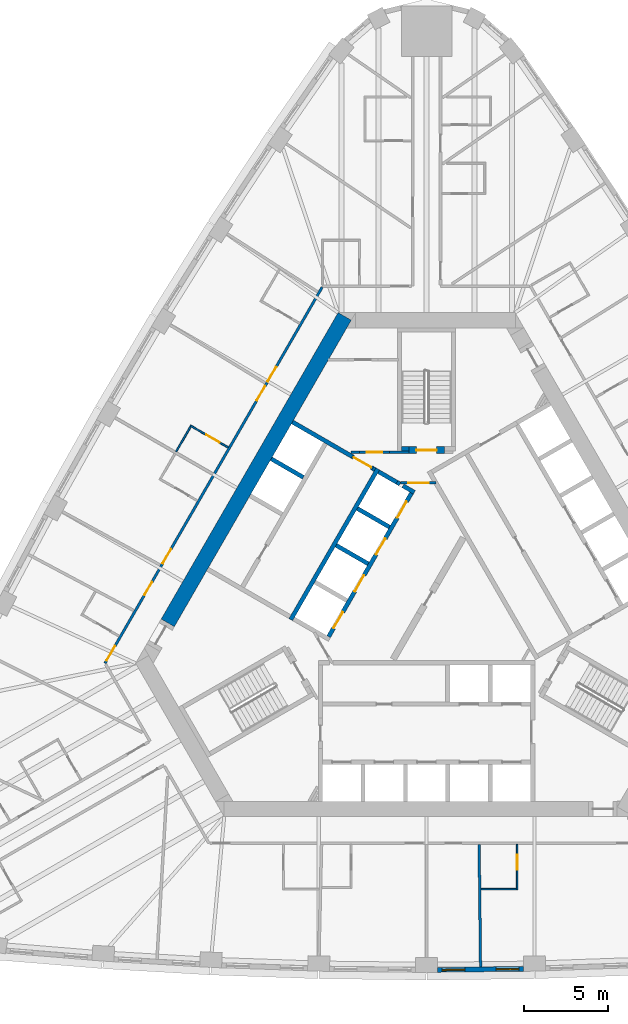
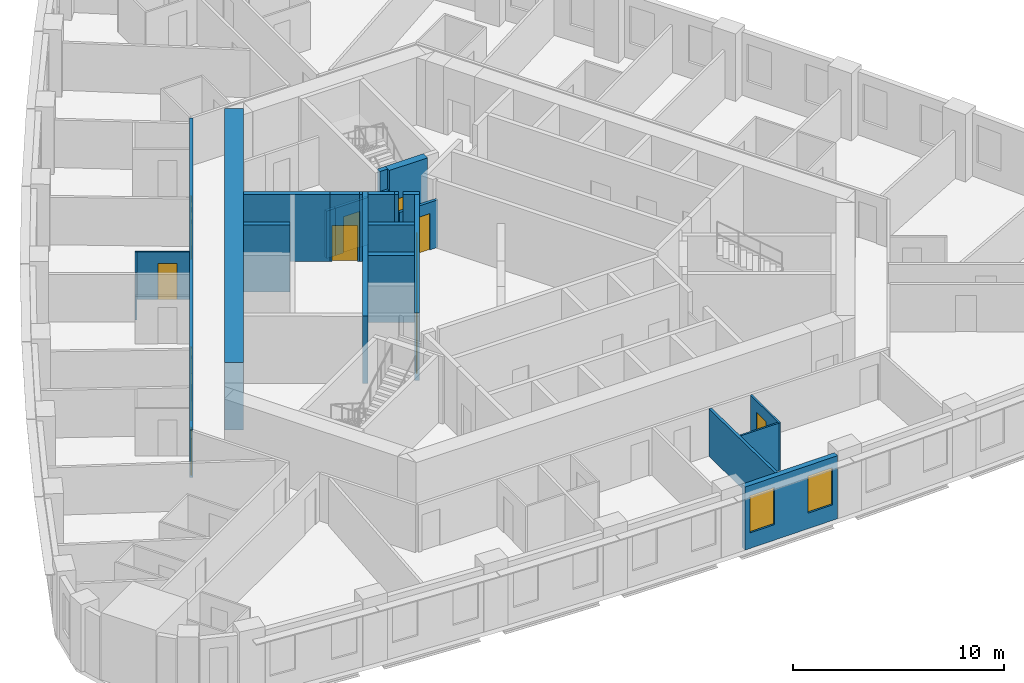
# One storey, part 6 of 12: 25 walls, 15 doors, 2 windows, 17 openings.
"""IFC4 building model written with IfcOpenShell, lengths in metres."""

from ifc_helpers import new_model, si_unit, direction, frame, frame_2d, origin, place, context, subcontext, project, spatial, polyline, rectangle, outline, extrude, material, layer, layer_set, type_object, element, fill, save


model = new_model("IFC4")

# Units and contexts
model_context = context("Model", 3, precision=1e-05, world=origin(), true_north=direction((0.0, 1.0)))
body_context = subcontext(model_context, "Body", "Model", "MODEL_VIEW")
ifc_project = project(units=[si_unit("LENGTHUNIT", "METRE"), si_unit("AREAUNIT", "SQUARE_METRE"), si_unit("VOLUMEUNIT", "CUBIC_METRE"), si_unit("PLANEANGLEUNIT", "RADIAN"), si_unit("MASSUNIT", "GRAM", prefix="KILO")], contexts=[model_context])

# Site, building, storey
site_placement = place(None, origin())
site = spatial("IfcSite", under=ifc_project, at=site_placement, CompositionType="ELEMENT")
building_placement = place(site_placement, origin())
building = spatial("IfcBuilding", under=site, at=building_placement, Name="Mestral Congress Tower", CompositionType="ELEMENT")
storey_placement = place(building_placement, frame((0.0, 0.0, 107.10009765625)))
storey = spatial("IfcBuildingStorey", under=building, at=storey_placement, Name="L25", CompositionType="ELEMENT", Elevation=107.10009765625)

# Walls
ifc_material_1 = material(Name="Fire-rated board partition")
ifc_layer_1 = layer(ifc_material_1, 0.14990234375)
ifc_layer_set_1 = layer_set([ifc_layer_1], Name="Fire-rated board partition")
wall_type_1 = type_object("IfcWallType", Name="Core partition 150", PredefinedType="PARTITIONING", material=ifc_layer_set_1)
wall_1_placement = place(storey_placement, frame((-3.99658203125, 8.625244140625, 0.0), z_axis=(0.0, 0.0, 1.0), x_axis=(-1.0, 0.0, 0.0)))
element("IfcWall", 1, at=wall_1_placement, inside=storey, type_object=wall_type_1, Name="L25 core wall", PredefinedType="PARTITIONING", context=body_context, shape_type="SweptSolid", body=[
    extrude(rectangle(XDim=0.502197265625, YDim=0.14990234375, at=frame_2d((0.2509765625, 0.0))), origin(), (0.0, 0.0, 1.0), 2.75),
])
wall_2_placement = place(storey_placement, frame((-2.1962890625, 8.62548828125, 0.0), z_axis=(0.0, 0.0, 1.0), x_axis=(1.0, 0.0, 0.0)))
element("IfcWall", 2, at=wall_2_placement, inside=storey, type_object=wall_type_1, Name="L25 core wall", PredefinedType="PARTITIONING", context=body_context, shape_type="SweptSolid", body=[
    extrude(rectangle(XDim=1.146240234375, YDim=0.14990234375, at=frame_2d((0.5732421875, 0.0))), origin(), (0.0, 0.0, 1.0), 2.75),
])

# Wall, opening, door
wall_3_placement = place(storey_placement, frame((-2.1962890625, 8.625, 0.0), z_axis=(0.0, 0.0, 1.0), x_axis=(-1.0, 0.0, 0.0)))
wall_3 = element("IfcWall", 3, at=wall_3_placement, inside=storey, type_object=wall_type_1, Name="L25 door wall", PredefinedType="PARTITIONING", context=body_context, shape_type="SweptSolid", body=[
    extrude(rectangle(XDim=1.800048828125, YDim=0.14990234375, at=frame_2d((0.89990234375, 0.0))), origin(), (0.0, 0.0, 1.0), 2.75),
])
opening_1_placement = place(wall_3_placement, frame((0.449951171875, 0.0, 0.0)))
opening_1 = element("IfcOpeningElement", 4, at=opening_1_placement, cuts=wall_3, Name="Opening TD2", PredefinedType="OPENING", context=body_context, shape_type="SweptSolid", body=[
    extrude(rectangle(XDim=0.89990234375, YDim=2.10009765625, at=frame_2d((0.449951171875, 1.050048828125))), frame((0.0, 0.0849609375, 0.0), z_axis=(0.0, -1.0, 0.0), x_axis=(1.0, 0.0, 0.0)), (0.0, 0.0, 1.0), 0.169921875),
])
ifc_material_2 = material(Name="Fire-rated steel door set", Category="steel")
door_type_1 = type_object("IfcDoorType", Name="Core door SR 900x2100", OperationType="SINGLE_SWING_LEFT", PredefinedType="DOOR", material=ifc_material_2)
door_1_placement = place(opening_1_placement, origin())
door_1 = element("IfcDoor", 5, at=door_1_placement, inside=storey, type_object=door_type_1, Name="Door TD2", OperationType="SINGLE_SWING_LEFT", OverallHeight=2.10009765625, OverallWidth=0.89990234375, PredefinedType="DOOR", context=body_context, shape_type="SweptSolid", body=[
    extrude(rectangle(XDim=0.89990234375, YDim=2.10009765625, at=frame_2d((0.449951171875, 1.050048828125))), frame((0.0, 0.02490234375, 0.0), z_axis=(0.0, -1.0, 0.0), x_axis=(1.0, 0.0, 0.0)), (0.0, 0.0, 1.0), 0.050048828125),
])
fill(opening_1, door_1)

wall_4_placement = place(storey_placement, frame((-1.534423828125, 6.800048828125, 0.0), z_axis=(0.0, 0.0, 1.0), x_axis=(1.0, 0.0, 0.0)))
wall_4 = element("IfcWall", 6, at=wall_4_placement, inside=storey, type_object=wall_type_1, Name="L25 door wall", PredefinedType="PARTITIONING", context=body_context, shape_type="SweptSolid", body=[
    extrude(rectangle(XDim=2.099853515625, YDim=0.14990234375, at=frame_2d((1.0498046875, 0.0))), origin(), (0.0, 0.0, 1.0), 2.75),
])
opening_2_placement = place(wall_4_placement, frame((0.449951171875, 0.0, 0.0)))
opening_2 = element("IfcOpeningElement", 7, at=opening_2_placement, cuts=wall_4, Name="Opening CD2-FF", PredefinedType="OPENING", context=body_context, shape_type="SweptSolid", body=[
    extrude(rectangle(XDim=1.199951171875, YDim=2.10009765625, at=frame_2d((0.60009765625, 1.050048828125))), frame((0.0, 0.0849609375, 0.0), z_axis=(0.0, -1.0, 0.0), x_axis=(1.0, 0.0, 0.0)), (0.0, 0.0, 1.0), 0.169921875),
])
door_type_2 = type_object("IfcDoorType", Name="Core door CD 1200x2100", OperationType="SINGLE_SWING_LEFT", PredefinedType="DOOR", material=ifc_material_2)
door_2_placement = place(opening_2_placement, origin())
door_2 = element("IfcDoor", 8, at=door_2_placement, inside=storey, type_object=door_type_2, Name="Door CD2-FF", OperationType="SINGLE_SWING_LEFT", OverallHeight=2.10009765625, OverallWidth=1.199951171875, PredefinedType="DOOR", context=body_context, shape_type="SweptSolid", body=[
    extrude(rectangle(XDim=1.199951171875, YDim=2.10009765625, at=frame_2d((0.60009765625, 1.050048828125))), frame((0.0, 0.02490234375, 0.0), z_axis=(0.0, -1.0, 0.0), x_axis=(1.0, 0.0, 0.0)), (0.0, 0.0, 1.0), 0.050048828125),
])
fill(opening_2, door_2)

# Wall
ifc_material_3 = material(Name="Concrete C60/75", Category="concrete")
ifc_layer_2 = layer(ifc_material_3, 0.89990234375)
ifc_layer_set_2 = layer_set([ifc_layer_2], Name="Concrete C60/75")
wall_type_2 = type_object("IfcWallType", Name="Core wall RC 900", PredefinedType="SOLIDWALL", material=ifc_layer_set_2)
wall_5_placement = place(storey_placement, frame((-15.359619140625, -1.50341796875, 0.0), z_axis=(0.0, 0.0, 1.0), x_axis=(0.50000389221, 0.866023156604, 0.0)))
element("IfcWall", 9, at=wall_5_placement, inside=storey, type_object=wall_type_2, Name="L25 core wall", PredefinedType="SOLIDWALL", context=body_context, shape_type="SweptSolid", body=[
    extrude(rectangle(XDim=21.000244140625, YDim=0.89990234375, at=frame_2d((10.5, 0.0))), origin(), (0.0, 0.0, 1.0), 3.89990234375),
])

# Wall, openings, windows
ifc_material_4 = material(Name="Precast concrete C40/50 with limestone facing", Category="masonry")
ifc_layer_3 = layer(ifc_material_4, 0.2900390625)
ifc_layer_set_3 = layer_set([ifc_layer_3], Name="Precast concrete C40/50 with limestone facing")
wall_type_3 = type_object("IfcWallType", Name="Facade stone wall 290", PredefinedType="SOLIDWALL", material=ifc_layer_set_3)
wall_6_placement = place(storey_placement, frame((0.6533203125, -22.091064453125, 0.0), z_axis=(0.0, 0.0, 1.0), x_axis=(0.999931786565, 0.011679992145, 0.0)))
wall_6 = element("IfcWall", 10, at=wall_6_placement, inside=storey, type_object=wall_type_3, Name="Facade wall F0-04", PredefinedType="SOLIDWALL", context=body_context, shape_type="SweptSolid", body=[
    extrude(rectangle(XDim=5.10009765625, YDim=0.2900390625, at=frame_2d((2.550048828125, 0.0))), origin(), (0.0, 0.0, 1.0), 3.64990234375),
])
opening_3_placement = place(wall_6_placement, frame((0.272705078125, 0.0, 0.89990234375)))
opening_3 = element("IfcOpeningElement", 11, at=opening_3_placement, cuts=wall_6, Name="Opening W2", PredefinedType="OPENING", context=body_context, shape_type="SweptSolid", body=[
    extrude(rectangle(XDim=1.35009765625, YDim=2.14990234375, at=frame_2d((0.675048828125, 1.074951171875))), frame((0.0, 0.155029296875, 0.0), z_axis=(0.0, -1.0, 0.0), x_axis=(1.0, 0.0, 0.0)), (0.0, 0.0, 1.0), 0.31005859375),
])
opening_4_placement = place(wall_6_placement, frame((3.477783203125, 0.0, 0.89990234375)))
opening_4 = element("IfcOpeningElement", 12, at=opening_4_placement, cuts=wall_6, Name="Opening W2", PredefinedType="OPENING", context=body_context, shape_type="SweptSolid", body=[
    extrude(rectangle(XDim=1.35009765625, YDim=2.14990234375, at=frame_2d((0.675048828125, 1.074951171875))), frame((0.0, 0.155029296875, 0.0), z_axis=(0.0, -1.0, 0.0), x_axis=(1.0, 0.0, 0.0)), (0.0, 0.0, 1.0), 0.31005859375),
])
ifc_material_5 = material(Name="Clear low-emissivity double glazing", Category="glass")
window_type = type_object("IfcWindowType", Name="Facade punched window 1350 x 2150 sill 900", PartitioningType="DOUBLE_PANEL_VERTICAL", PredefinedType="WINDOW", material=ifc_material_5)
window_1_placement = place(opening_3_placement, origin())
window_1 = element("IfcWindow", 13, at=window_1_placement, inside=storey, type_object=window_type, Name="Window F0-04a", OverallHeight=2.14990234375, OverallWidth=1.35009765625, PartitioningType="DOUBLE_PANEL_VERTICAL", PredefinedType="WINDOW", context=body_context, shape_type="SweptSolid", body=[
    extrude(rectangle(XDim=1.35009765625, YDim=2.14990234375, at=frame_2d((0.675048828125, 1.074951171875))), frame((0.0, 0.01513671875, 0.0), z_axis=(0.0, -1.0, 0.0), x_axis=(1.0, 0.0, 0.0)), (0.0, 0.0, 1.0), 0.06005859375),
])
fill(opening_3, window_1)
window_2_placement = place(opening_4_placement, origin())
window_2 = element("IfcWindow", 14, at=window_2_placement, inside=storey, type_object=window_type, Name="Window F0-04b", OverallHeight=2.14990234375, OverallWidth=1.35009765625, PartitioningType="DOUBLE_PANEL_VERTICAL", PredefinedType="WINDOW", context=body_context, shape_type="SweptSolid", body=[
    extrude(rectangle(XDim=1.35009765625, YDim=2.14990234375, at=frame_2d((0.675048828125, 1.074951171875))), frame((0.0, 0.01513671875, 0.0), z_axis=(0.0, -1.0, 0.0), x_axis=(1.0, 0.0, 0.0)), (0.0, 0.0, 1.0), 0.06005859375),
])
fill(opening_4, window_2)

# Wall, opening, door
ifc_material_6 = material(Name="Gypsum board partition on metal studs with mineral wool", Category="composite")
ifc_layer_4 = layer(ifc_material_6, 0.10009765625)
ifc_layer_set_4 = layer_set([ifc_layer_4], Name="Gypsum board partition on metal studs with mineral wool")
wall_type_4 = type_object("IfcWallType", Name="Hotel partition wall 100", PredefinedType="PARTITIONING", material=ifc_layer_set_4)
wall_7_placement = place(storey_placement, frame((5.37060546875, -17.35009765625, 0.0), z_axis=(0.0, 0.0, 1.0), x_axis=(0.0, 1.0, 0.0)))
wall_7 = element("IfcWall", 15, at=wall_7_placement, inside=storey, type_object=wall_type_4, Name="L25-h-pod05a", PredefinedType="PARTITIONING", context=body_context, shape_type="SweptSolid", body=[
    extrude(rectangle(XDim=2.7001953125, YDim=0.10009765625, at=frame_2d((1.35009765625, 0.0))), origin(), (0.0, 0.0, 1.0), 2.75),
])
opening_5_placement = place(wall_7_placement, frame((1.199951171875, 0.0, 0.0)))
opening_5 = element("IfcOpeningElement", 16, at=opening_5_placement, cuts=wall_7, Name="Opening H08-009", PredefinedType="OPENING", context=body_context, shape_type="SweptSolid", body=[
    extrude(rectangle(XDim=0.89990234375, YDim=2.10009765625, at=frame_2d((0.449951171875, 1.050048828125))), frame((0.0, 0.06005859375, 0.0), z_axis=(0.0, -1.0, 0.0), x_axis=(1.0, 0.0, 0.0)), (0.0, 0.0, 1.0), 0.1201171875),
])
ifc_material_7 = material(Name="Timber veneer door leaf in timber frame", Category="wood")
door_type_3 = type_object("IfcDoorType", Name="Bathroom door 900", OperationType="SINGLE_SWING_LEFT", PredefinedType="DOOR", material=ifc_material_7)
door_3_placement = place(opening_5_placement, origin())
door_3 = element("IfcDoor", 17, at=door_3_placement, inside=storey, type_object=door_type_3, Name="L25-h-d009", OperationType="SINGLE_SWING_LEFT", OverallHeight=2.10009765625, OverallWidth=0.89990234375, PredefinedType="DOOR", context=body_context, shape_type="SweptSolid", body=[
    extrude(rectangle(XDim=0.89990234375, YDim=2.10009765625, at=frame_2d((0.449951171875, 1.050048828125))), frame((0.0, 0.02490234375, 0.0), z_axis=(0.0, -1.0, 0.0), x_axis=(1.0, 0.0, 0.0)), (0.0, 0.0, 1.0), 0.050048828125),
])
fill(opening_5, door_3)

# Wall
wall_8_placement = place(storey_placement, frame((5.32080078125, -17.300048828125, 0.0), z_axis=(0.0, 0.0, 1.0), x_axis=(-1.0, 0.0, 0.0)))
element("IfcWall", 18, at=wall_8_placement, inside=storey, type_object=wall_type_4, Name="L25-h-pod05b", PredefinedType="PARTITIONING", context=body_context, shape_type="SweptSolid", body=[
    extrude(rectangle(XDim=2.090087890625, YDim=0.10009765625, at=frame_2d((1.044921875, 0.0))), origin(), (0.0, 0.0, 1.0), 2.75),
])

# Wall, opening, door
wall_9_placement = place(storey_placement, frame((-11.7744140625, 8.90625, 0.0), z_axis=(0.0, 0.0, 1.0), x_axis=(-0.865997922154, 0.500047596559, 0.0)))
wall_9 = element("IfcWall", 19, at=wall_9_placement, inside=storey, type_object=wall_type_4, Name="L25-h-pod20a", PredefinedType="PARTITIONING", context=body_context, shape_type="SweptSolid", body=[
    extrude(rectangle(XDim=2.599853515625, YDim=0.10009765625, at=frame_2d((1.2998046875, 0.0))), origin(), (0.0, 0.0, 1.0), 2.75),
])
opening_6_placement = place(wall_9_placement, frame((0.60009765625, 0.0, 0.0)))
opening_6 = element("IfcOpeningElement", 20, at=opening_6_placement, cuts=wall_9, Name="Opening H08-036", PredefinedType="OPENING", context=body_context, shape_type="SweptSolid", body=[
    extrude(rectangle(XDim=0.89990234375, YDim=2.10009765625, at=frame_2d((0.449951171875, 1.050048828125))), frame((0.0, 0.06005859375, 0.0), z_axis=(0.0, -1.0, 0.0), x_axis=(1.0, 0.0, 0.0)), (0.0, 0.0, 1.0), 0.1201171875),
])
door_4_placement = place(opening_6_placement, origin())
door_4 = element("IfcDoor", 21, at=door_4_placement, inside=storey, type_object=door_type_3, Name="L25-h-d036", OperationType="SINGLE_SWING_LEFT", OverallHeight=2.10009765625, OverallWidth=0.89990234375, PredefinedType="DOOR", context=body_context, shape_type="SweptSolid", body=[
    extrude(rectangle(XDim=0.89990234375, YDim=2.10009765625, at=frame_2d((0.449951171875, 1.050048828125))), frame((0.0, 0.02490234375, 0.0), z_axis=(0.0, -1.0, 0.0), x_axis=(1.0, 0.0, 0.0)), (0.0, 0.0, 1.0), 0.050048828125),
])
fill(opening_6, door_4)

# Wall
wall_10_placement = place(storey_placement, frame((-14.0078125, 10.137939453125, 0.0), z_axis=(0.0, 0.0, 1.0), x_axis=(-0.499892348375, -0.866087547558, 0.0)))
element("IfcWall", 22, at=wall_10_placement, inside=storey, type_object=wall_type_4, Name="L25-h-pod20b", PredefinedType="PARTITIONING", context=body_context, shape_type="SweptSolid", body=[
    extrude(rectangle(XDim=1.699951171875, YDim=0.10009765625, at=frame_2d((0.85009765625, 0.0))), origin(), (0.0, 0.0, 1.0), 2.75),
])

# Wall, openings, doors
ifc_layer_5 = layer(ifc_material_6, 0.14990234375)
ifc_layer_set_5 = layer_set([ifc_layer_5], Name="Gypsum board partition on metal studs with mineral wool")
wall_type_5 = type_object("IfcWallType", Name="Hotel partition wall 150", PredefinedType="PARTITIONING", material=ifc_layer_set_5)
wall_11_placement = place(storey_placement, frame((-19.081298828125, -3.89990234375, 0.0), z_axis=(0.0, 0.0, 1.0), x_axis=(0.499998313975, 0.866026377209, 0.0)))
wall_11 = element("IfcWall", 23, at=wall_11_placement, inside=storey, type_object=wall_type_5, Name="L25-h-cw08", PredefinedType="PARTITIONING", context=body_context, shape_type="SweptSolid", body=[
    extrude(rectangle(XDim=25.76611328125, YDim=0.14990234375, at=frame_2d((12.883056640625, 0.0))), origin(), (0.0, 0.0, 1.0), 2.75),
])
opening_7_placement = place(wall_11_placement, frame((19.30615234375, 0.0, 0.0)))
opening_7 = element("IfcOpeningElement", 24, at=opening_7_placement, cuts=wall_11, Name="Opening H08-033", PredefinedType="OPENING", context=body_context, shape_type="SweptSolid", body=[
    extrude(rectangle(XDim=1.0, YDim=2.10009765625, at=frame_2d((0.5, 1.050048828125))), frame((0.0, 0.0849609375, 0.0), z_axis=(0.0, -1.0, 0.0), x_axis=(1.0, 0.0, 0.0)), (0.0, 0.0, 1.0), 0.169921875),
])
opening_8_placement = place(wall_11_placement, frame((17.99951171875, 0.0, 0.0)))
opening_8 = element("IfcOpeningElement", 25, at=opening_8_placement, cuts=wall_11, Name="Opening H08-035", PredefinedType="OPENING", context=body_context, shape_type="SweptSolid", body=[
    extrude(rectangle(XDim=1.0, YDim=2.10009765625, at=frame_2d((0.5, 1.050048828125))), frame((0.0, 0.0849609375, 0.0), z_axis=(0.0, -1.0, 0.0), x_axis=(1.0, 0.0, 0.0)), (0.0, 0.0, 1.0), 0.169921875),
])
opening_9_placement = place(wall_11_placement, frame((6.837890625, 0.0, 0.0)))
opening_9 = element("IfcOpeningElement", 26, at=opening_9_placement, cuts=wall_11, Name="Opening H08-037", PredefinedType="OPENING", context=body_context, shape_type="SweptSolid", body=[
    extrude(rectangle(XDim=1.0, YDim=2.10009765625, at=frame_2d((0.5, 1.050048828125))), frame((0.0, 0.0849609375, 0.0), z_axis=(0.0, -1.0, 0.0), x_axis=(1.0, 0.0, 0.0)), (0.0, 0.0, 1.0), 0.169921875),
])
opening_10_placement = place(wall_11_placement, frame((4.674072265625, 0.0, 0.0)))
opening_10 = element("IfcOpeningElement", 27, at=opening_10_placement, cuts=wall_11, Name="Opening H08-039", PredefinedType="OPENING", context=body_context, shape_type="SweptSolid", body=[
    extrude(rectangle(XDim=0.89990234375, YDim=2.10009765625, at=frame_2d((0.449951171875, 1.050048828125))), frame((0.0, 0.0849609375, 0.0), z_axis=(0.0, -1.0, 0.0), x_axis=(1.0, 0.0, 0.0)), (0.0, 0.0, 1.0), 0.169921875),
])
opening_11_placement = place(wall_11_placement, frame((0.179931640625, 0.0, 0.0)))
opening_11 = element("IfcOpeningElement", 28, at=opening_11_placement, cuts=wall_11, Name="Opening H08-040", PredefinedType="OPENING", context=body_context, shape_type="SweptSolid", body=[
    extrude(rectangle(XDim=1.0, YDim=2.10009765625, at=frame_2d((0.5, 1.050048828125))), frame((0.0, 0.0849609375, 0.0), z_axis=(0.0, -1.0, 0.0), x_axis=(1.0, 0.0, 0.0)), (0.0, 0.0, 1.0), 0.169921875),
])
ifc_material_8 = material(Name="Timber veneer door leaf in metal frame", Category="wood")
door_type_4 = type_object("IfcDoorType", Name="Guest room entrance door 1000", OperationType="SINGLE_SWING_LEFT", PredefinedType="DOOR", material=ifc_material_8)
door_5_placement = place(opening_7_placement, origin())
door_5 = element("IfcDoor", 29, at=door_5_placement, inside=storey, type_object=door_type_4, Name="L25-h-d033", OperationType="SINGLE_SWING_LEFT", OverallHeight=2.10009765625, OverallWidth=1.0, PredefinedType="DOOR", context=body_context, shape_type="SweptSolid", body=[
    extrude(rectangle(XDim=1.0, YDim=2.10009765625, at=frame_2d((0.5, 1.050048828125))), frame((0.0, 0.02490234375, 0.0), z_axis=(0.0, -1.0, 0.0), x_axis=(1.0, 0.0, 0.0)), (0.0, 0.0, 1.0), 0.050048828125),
])
fill(opening_7, door_5)
door_6_placement = place(opening_8_placement, origin())
door_6 = element("IfcDoor", 30, at=door_6_placement, inside=storey, type_object=door_type_4, Name="L25-h-d035", OperationType="SINGLE_SWING_RIGHT", OverallHeight=2.10009765625, OverallWidth=1.0, PredefinedType="DOOR", context=body_context, shape_type="SweptSolid", body=[
    extrude(rectangle(XDim=1.0, YDim=2.10009765625, at=frame_2d((0.5, 1.050048828125))), frame((0.0, 0.02490234375, 0.0), z_axis=(0.0, -1.0, 0.0), x_axis=(1.0, 0.0, 0.0)), (0.0, 0.0, 1.0), 0.050048828125),
])
fill(opening_8, door_6)
door_7_placement = place(opening_9_placement, origin())
door_7 = element("IfcDoor", 31, at=door_7_placement, inside=storey, type_object=door_type_4, Name="L25-h-d037", OperationType="SINGLE_SWING_LEFT", OverallHeight=2.10009765625, OverallWidth=1.0, PredefinedType="DOOR", context=body_context, shape_type="SweptSolid", body=[
    extrude(rectangle(XDim=1.0, YDim=2.10009765625, at=frame_2d((0.5, 1.050048828125))), frame((0.0, 0.02490234375, 0.0), z_axis=(0.0, -1.0, 0.0), x_axis=(1.0, 0.0, 0.0)), (0.0, 0.0, 1.0), 0.050048828125),
])
fill(opening_9, door_7)
door_8_placement = place(opening_11_placement, origin())
door_8 = element("IfcDoor", 32, at=door_8_placement, inside=storey, type_object=door_type_4, Name="L25-h-d040", OperationType="SINGLE_SWING_LEFT", OverallHeight=2.10009765625, OverallWidth=1.0, PredefinedType="DOOR", context=body_context, shape_type="SweptSolid", body=[
    extrude(rectangle(XDim=1.0, YDim=2.10009765625, at=frame_2d((0.5, 1.050048828125))), frame((0.0, 0.02490234375, 0.0), z_axis=(0.0, -1.0, 0.0), x_axis=(1.0, 0.0, 0.0)), (0.0, 0.0, 1.0), 0.050048828125),
])
fill(opening_11, door_8)
door_type_5 = type_object("IfcDoorType", Name="Service room door 900", OperationType="SINGLE_SWING_LEFT", PredefinedType="DOOR", material=ifc_material_8)
door_9_placement = place(opening_10_placement, origin())
door_9 = element("IfcDoor", 33, at=door_9_placement, inside=storey, type_object=door_type_5, Name="L25-h-d039", OperationType="SINGLE_SWING_RIGHT", OverallHeight=2.10009765625, OverallWidth=0.89990234375, PredefinedType="DOOR", context=body_context, shape_type="SweptSolid", body=[
    extrude(rectangle(XDim=0.89990234375, YDim=2.10009765625, at=frame_2d((0.449951171875, 1.050048828125))), frame((0.0, 0.02490234375, 0.0), z_axis=(0.0, -1.0, 0.0), x_axis=(1.0, 0.0, 0.0)), (0.0, 0.0, 1.0), 0.050048828125),
])
fill(opening_10, door_9)

# Walls
wall_12_placement = place(storey_placement, frame((3.20166015625, -21.916259765625, 0.0), z_axis=(0.0, 0.0, 1.0), x_axis=(-0.011707696285, 0.999931462575, 0.0)))
element("IfcWall", 34, at=wall_12_placement, inside=storey, type_object=wall_type_5, Name="L25-h-pw16", PredefinedType="PARTITIONING", context=body_context, shape_type="SweptSolid", body=[
    extrude(rectangle(XDim=7.2568359375, YDim=0.14990234375, at=frame_2d((3.62841796875, 0.0))), origin(), (0.0, 0.0, 1.0), 2.75),
])
ifc_layer_6 = layer(ifc_material_3, 0.25)
ifc_layer_set_6 = layer_set([ifc_layer_6], Name="Concrete C60/75")
wall_type_6 = type_object("IfcWallType", Name="Shaft wall RC 250", PredefinedType="SOLIDWALL", material=ifc_layer_set_6)
wall_13_placement = place(storey_placement, frame((-8.06005859375, -1.310546875, 0.0), z_axis=(0.0, 0.0, 1.0), x_axis=(0.50000273126, 0.866023826885, 0.0)))
element("IfcWall", 35, at=wall_13_placement, inside=storey, type_object=wall_type_6, Name="L25 core wall", PredefinedType="SOLIDWALL", context=body_context, shape_type="SweptSolid", body=[
    extrude(rectangle(XDim=10.330078125, YDim=0.25, at=frame_2d((5.1650390625, 0.0))), origin(), (0.0, 0.0, 1.0), 3.89990234375),
])
wall_14_placement = place(storey_placement, frame((-1.75830078125, 6.834716796875, 0.0), z_axis=(0.0, 0.0, 1.0), x_axis=(0.865982457891, -0.500074377092, 0.0)))
element("IfcWall", 36, at=wall_14_placement, inside=storey, type_object=wall_type_6, Name="L25 core wall", PredefinedType="SOLIDWALL", context=body_context, shape_type="SweptSolid", body=[
    extrude(rectangle(XDim=0.2001953125, YDim=0.25, at=frame_2d((0.10009765625, 0.0))), origin(), (0.0, 0.0, 1.0), 3.89990234375),
])
wall_15_placement = place(storey_placement, frame((-1.760009765625, 6.835693359375, 0.0), z_axis=(0.0, 0.0, 1.0), x_axis=(-0.865952863304, 0.500125622755, 0.0)))
element("IfcWall", 37, at=wall_15_placement, inside=storey, type_object=wall_type_6, Name="L25 core wall", PredefinedType="SOLIDWALL", context=body_context, shape_type="SweptSolid", body=[
    extrude(rectangle(XDim=1.258056640625, YDim=0.25, at=frame_2d((0.62890625, 0.0))), origin(), (0.0, 0.0, 1.0), 3.89990234375),
])
wall_16_placement = place(storey_placement, frame((-0.7275390625, 6.23974609375, 0.0), z_axis=(0.0, 0.0, 1.0), x_axis=(-0.865955664968, 0.500120771724, 0.0)))
element("IfcWall", 38, at=wall_16_placement, inside=storey, type_object=wall_type_6, Name="L25 core wall", PredefinedType="SOLIDWALL", context=body_context, shape_type="SweptSolid", body=[
    extrude(rectangle(XDim=0.778076171875, YDim=0.25, at=frame_2d((0.38916015625, 0.0))), origin(), (0.0, 0.0, 1.0), 3.89990234375),
])
for number, where, z_axis, x_axis, name in (
    (39, (-2.2041015625, 4.182373046875, 0.0), (0.0, 0.0, 1.0), (-0.866008176907, 0.50002983664, 0.0), "L25 core wall"),
    (40, (-5.369384765625, 3.10009765625, 0.0), (0.0, 0.0, 1.0), (0.866008176907, -0.50002983664, 0.0), "L25 core wall"),
):
    element("IfcWall", number, at=place(storey_placement, frame(where, z_axis=z_axis, x_axis=x_axis)), inside=storey, type_object=wall_type_6, Name=name, PredefinedType="SOLIDWALL", context=body_context, shape_type="SweptSolid", body=[
        extrude(rectangle(XDim=2.199951171875, YDim=0.25, at=frame_2d((1.10009765625, 0.0))), origin(), (0.0, 0.0, 1.0), 3.89990234375),
    ])
wall_17_placement = place(storey_placement, origin())
element("IfcWall", 41, at=wall_17_placement, inside=storey, type_object=wall_type_6, Name="L25 core wall", PredefinedType="SOLIDWALL", context=body_context, shape_type="SweptSolid", body=[
    extrude(outline(polyline([(-3.12841796875, 7.4814453125), (-3.2587890625, 7.556640625), (-3.1337890625, 7.773193359375), (-3.00341796875, 7.697998046875), (-3.12841796875, 7.4814453125)])), origin(), (0.0, 0.0, 1.0), 3.89990234375),
])
wall_18_placement = place(storey_placement, frame((-7.313720703125, 7.13232421875, 0.0), z_axis=(0.0, 0.0, 1.0), x_axis=(-0.866008176907, 0.50002983664, 0.0)))
element("IfcWall", 42, at=wall_18_placement, inside=storey, type_object=wall_type_6, Name="L25 core wall", PredefinedType="SOLIDWALL", context=body_context, shape_type="SweptSolid", body=[
    extrude(rectangle(XDim=2.199951171875, YDim=0.25, at=frame_2d((1.10009765625, 0.0))), origin(), (0.0, 0.0, 1.0), 3.89990234375),
])
wall_19_placement = place(storey_placement, frame((-7.958984375, 10.414794921875, 0.0), z_axis=(0.0, 0.0, 1.0), x_axis=(0.866020958405, -0.500007699544, 0.0)))
element("IfcWall", 43, at=wall_19_placement, inside=storey, type_object=wall_type_6, Name="L25 core wall", PredefinedType="SOLIDWALL", context=body_context, shape_type="SweptSolid", body=[
    extrude(rectangle(XDim=4.099609375, YDim=0.25, at=frame_2d((2.0498046875, 0.0))), origin(), (0.0, 0.0, 1.0), 3.89990234375),
])

# Wall, openings, doors
wall_20_placement = place(storey_placement, frame((-0.898193359375, 6.194091796875, 0.0), z_axis=(0.0, 0.0, 1.0), x_axis=(-0.499996202215, -0.866027596426, 0.0)))
wall_20 = element("IfcWall", 44, at=wall_20_placement, inside=storey, type_object=wall_type_6, Name="L25 door wall", PredefinedType="SOLIDWALL", context=body_context, shape_type="SweptSolid", body=[
    extrude(rectangle(XDim=9.830078125, YDim=0.25, at=frame_2d((4.9150390625, 0.0))), origin(), (0.0, 0.0, 1.0), 3.89990234375),
])
opening_12_placement = place(wall_20_placement, frame((0.5849609375, 0.0, 0.0)))
opening_12 = element("IfcOpeningElement", 45, at=opening_12_placement, cuts=wall_20, Name="Opening LD-NWB1", PredefinedType="OPENING", context=body_context, shape_type="SweptSolid", body=[
    extrude(rectangle(XDim=1.10009765625, YDim=2.10009765625, at=frame_2d((0.550048828125, 1.050048828125))), frame((0.0, 0.135009765625, 0.0), z_axis=(0.0, -1.0, 0.0), x_axis=(1.0, 0.0, 0.0)), (0.0, 0.0, 1.0), 0.27001953125),
])
opening_13_placement = place(wall_20_placement, frame((3.10498046875, 0.0, 0.0)))
opening_13 = element("IfcOpeningElement", 46, at=opening_13_placement, cuts=wall_20, Name="Opening LD-NWB2", PredefinedType="OPENING", context=body_context, shape_type="SweptSolid", body=[
    extrude(rectangle(XDim=1.10009765625, YDim=2.10009765625, at=frame_2d((0.550048828125, 1.050048828125))), frame((0.0, 0.135009765625, 0.0), z_axis=(0.0, -1.0, 0.0), x_axis=(1.0, 0.0, 0.0)), (0.0, 0.0, 1.0), 0.27001953125),
])
opening_14_placement = place(wall_20_placement, frame((5.625, 0.0, 0.0)))
opening_14 = element("IfcOpeningElement", 47, at=opening_14_placement, cuts=wall_20, Name="Opening LD-NWB3", PredefinedType="OPENING", context=body_context, shape_type="SweptSolid", body=[
    extrude(rectangle(XDim=1.10009765625, YDim=2.10009765625, at=frame_2d((0.550048828125, 1.050048828125))), frame((0.0, 0.135009765625, 0.0), z_axis=(0.0, -1.0, 0.0), x_axis=(1.0, 0.0, 0.0)), (0.0, 0.0, 1.0), 0.27001953125),
])
opening_15_placement = place(wall_20_placement, frame((8.14501953125, 0.0, 0.0)))
opening_15 = element("IfcOpeningElement", 48, at=opening_15_placement, cuts=wall_20, Name="Opening LD-NWB4", PredefinedType="OPENING", context=body_context, shape_type="SweptSolid", body=[
    extrude(rectangle(XDim=1.10009765625, YDim=2.10009765625, at=frame_2d((0.550048828125, 1.050048828125))), frame((0.0, 0.135009765625, 0.0), z_axis=(0.0, -1.0, 0.0), x_axis=(1.0, 0.0, 0.0)), (0.0, 0.0, 1.0), 0.27001953125),
])
door_type_6 = type_object("IfcDoorType", Name="Core door LD 1100x2100", OperationType="DOUBLE_DOOR_SLIDING", PredefinedType="DOOR", material=ifc_material_2)
door_10_placement = place(opening_12_placement, origin())
door_10 = element("IfcDoor", 49, at=door_10_placement, inside=storey, type_object=door_type_6, Name="Door LD-NWB1", OperationType="DOUBLE_DOOR_SLIDING", OverallHeight=2.10009765625, OverallWidth=1.10009765625, PredefinedType="DOOR", context=body_context, shape_type="SweptSolid", body=[
    extrude(rectangle(XDim=1.10009765625, YDim=2.10009765625, at=frame_2d((0.550048828125, 1.050048828125))), frame((0.0, 0.02490234375, 0.0), z_axis=(0.0, -1.0, 0.0), x_axis=(1.0, 0.0, 0.0)), (0.0, 0.0, 1.0), 0.050048828125),
])
fill(opening_12, door_10)
door_11_placement = place(opening_13_placement, origin())
door_11 = element("IfcDoor", 50, at=door_11_placement, inside=storey, type_object=door_type_6, Name="Door LD-NWB2", OperationType="DOUBLE_DOOR_SLIDING", OverallHeight=2.10009765625, OverallWidth=1.10009765625, PredefinedType="DOOR", context=body_context, shape_type="SweptSolid", body=[
    extrude(rectangle(XDim=1.10009765625, YDim=2.10009765625, at=frame_2d((0.550048828125, 1.050048828125))), frame((0.0, 0.02490234375, 0.0), z_axis=(0.0, -1.0, 0.0), x_axis=(1.0, 0.0, 0.0)), (0.0, 0.0, 1.0), 0.050048828125),
])
fill(opening_13, door_11)
door_12_placement = place(opening_14_placement, origin())
door_12 = element("IfcDoor", 51, at=door_12_placement, inside=storey, type_object=door_type_6, Name="Door LD-NWB3", OperationType="DOUBLE_DOOR_SLIDING", OverallHeight=2.10009765625, OverallWidth=1.10009765625, PredefinedType="DOOR", context=body_context, shape_type="SweptSolid", body=[
    extrude(rectangle(XDim=1.10009765625, YDim=2.10009765625, at=frame_2d((0.550048828125, 1.050048828125))), frame((0.0, 0.02490234375, 0.0), z_axis=(0.0, -1.0, 0.0), x_axis=(1.0, 0.0, 0.0)), (0.0, 0.0, 1.0), 0.050048828125),
])
fill(opening_14, door_12)
door_13_placement = place(opening_15_placement, origin())
door_13 = element("IfcDoor", 52, at=door_13_placement, inside=storey, type_object=door_type_6, Name="Door LD-NWB4", OperationType="DOUBLE_DOOR_SLIDING", OverallHeight=2.10009765625, OverallWidth=1.10009765625, PredefinedType="DOOR", context=body_context, shape_type="SweptSolid", body=[
    extrude(rectangle(XDim=1.10009765625, YDim=2.10009765625, at=frame_2d((0.550048828125, 1.050048828125))), frame((0.0, 0.02490234375, 0.0), z_axis=(0.0, -1.0, 0.0), x_axis=(1.0, 0.0, 0.0)), (0.0, 0.0, 1.0), 0.050048828125),
])
fill(opening_15, door_13)

# Wall, opening, door
wall_21_placement = place(storey_placement, frame((-4.40869140625, 8.364990234375, 0.0), z_axis=(0.0, 0.0, 1.0), x_axis=(0.866034573852, -0.49998411664, 0.0)))
wall_21 = element("IfcWall", 53, at=wall_21_placement, inside=storey, type_object=wall_type_6, Name="L25 door wall", PredefinedType="SOLIDWALL", context=body_context, shape_type="SweptSolid", body=[
    extrude(rectangle(XDim=1.39990234375, YDim=0.25, at=frame_2d((0.699951171875, 0.0))), origin(), (0.0, 0.0, 1.0), 3.89990234375),
])
opening_16_placement = place(wall_21_placement, frame((0.10009765625, 0.0, 0.0)))
opening_16 = element("IfcOpeningElement", 54, at=opening_16_placement, cuts=wall_21, Name="Opening LB2-WL2", PredefinedType="OPENING", context=body_context, shape_type="SweptSolid", body=[
    extrude(rectangle(XDim=1.199951171875, YDim=2.10009765625, at=frame_2d((0.60009765625, 1.050048828125))), frame((0.0, 0.135009765625, 0.0), z_axis=(0.0, -1.0, 0.0), x_axis=(1.0, 0.0, 0.0)), (0.0, 0.0, 1.0), 0.27001953125),
])
door_type_7 = type_object("IfcDoorType", Name="Core door LB 1200x2100", OperationType="SINGLE_SWING_LEFT", PredefinedType="DOOR", material=ifc_material_2)
door_14_placement = place(opening_16_placement, origin())
door_14 = element("IfcDoor", 55, at=door_14_placement, inside=storey, type_object=door_type_7, Name="Door LB2-WL2", OperationType="SINGLE_SWING_LEFT", OverallHeight=2.10009765625, OverallWidth=1.199951171875, PredefinedType="DOOR", context=body_context, shape_type="SweptSolid", body=[
    extrude(rectangle(XDim=1.199951171875, YDim=2.10009765625, at=frame_2d((0.60009765625, 1.050048828125))), frame((0.0, 0.02490234375, 0.0), z_axis=(0.0, -1.0, 0.0), x_axis=(1.0, 0.0, 0.0)), (0.0, 0.0, 1.0), 0.050048828125),
])
fill(opening_16, door_14)

# Wall
ifc_layer_7 = layer(ifc_material_3, 0.25)
ifc_layer_set_7 = layer_set([ifc_layer_7], Name="Concrete C60/75")
wall_type_7 = type_object("IfcWallType", Name="Stair wall RC 250", PredefinedType="SOLIDWALL", material=ifc_layer_set_7)
wall_22_placement = place(storey_placement, frame((-1.47509765625, 8.824951171875, 0.0), z_axis=(0.0, 0.0, 1.0), x_axis=(1.0, 0.0, 0.0)))
element("IfcWall", 56, at=wall_22_placement, inside=storey, type_object=wall_type_7, Name="L25 core wall", PredefinedType="SOLIDWALL", context=body_context, shape_type="SweptSolid", body=[
    extrude(rectangle(XDim=0.425048828125, YDim=0.25, at=frame_2d((0.21240234375, 0.0))), origin(), (0.0, 0.0, 1.0), 3.89990234375),
])

# Wall, opening, door
ifc_layer_8 = layer(ifc_material_3, 0.39990234375)
ifc_layer_set_8 = layer_set([ifc_layer_8], Name="Concrete C60/75")
wall_type_8 = type_object("IfcWallType", Name="Stair wall RC 250 door-wall 400", PredefinedType="SOLIDWALL", material=ifc_layer_set_8)
wall_23_placement = place(storey_placement, frame((1.050048828125, 8.75, 0.0), z_axis=(0.0, 0.0, 1.0), x_axis=(-1.0, 0.0, 0.0)))
wall_23 = element("IfcWall", 57, at=wall_23_placement, inside=storey, type_object=wall_type_8, Name="L25 door wall", PredefinedType="SOLIDWALL", context=body_context, shape_type="SweptSolid", body=[
    extrude(rectangle(XDim=2.10009765625, YDim=0.39990234375, at=frame_2d((1.050048828125, 0.0))), origin(), (0.0, 0.0, 1.0), 3.89990234375),
])
opening_17_placement = place(wall_23_placement, frame((0.449951171875, 0.0, 0.0)))
opening_17 = element("IfcOpeningElement", 58, at=opening_17_placement, cuts=wall_23, Name="Opening ST-D2", PredefinedType="OPENING", context=body_context, shape_type="SweptSolid", body=[
    extrude(rectangle(XDim=1.199951171875, YDim=2.10009765625, at=frame_2d((0.60009765625, 1.050048828125))), frame((0.0, 0.2099609375, 0.0), z_axis=(0.0, -1.0, 0.0), x_axis=(1.0, 0.0, 0.0)), (0.0, 0.0, 1.0), 0.419921875),
])
door_type_8 = type_object("IfcDoorType", Name="Core door ST 1200x2100", OperationType="SINGLE_SWING_LEFT", PredefinedType="DOOR", material=ifc_material_2)
door_15_placement = place(opening_17_placement, origin())
door_15 = element("IfcDoor", 59, at=door_15_placement, inside=storey, type_object=door_type_8, Name="Door ST-D2", OperationType="SINGLE_SWING_LEFT", OverallHeight=2.10009765625, OverallWidth=1.199951171875, PredefinedType="DOOR", context=body_context, shape_type="SweptSolid", body=[
    extrude(rectangle(XDim=1.199951171875, YDim=2.10009765625, at=frame_2d((0.60009765625, 1.050048828125))), frame((0.0, 0.02490234375, 0.0), z_axis=(0.0, -1.0, 0.0), x_axis=(1.0, 0.0, 0.0)), (0.0, 0.0, 1.0), 0.050048828125),
])
fill(opening_17, door_15)

save(model, "model.ifc")
